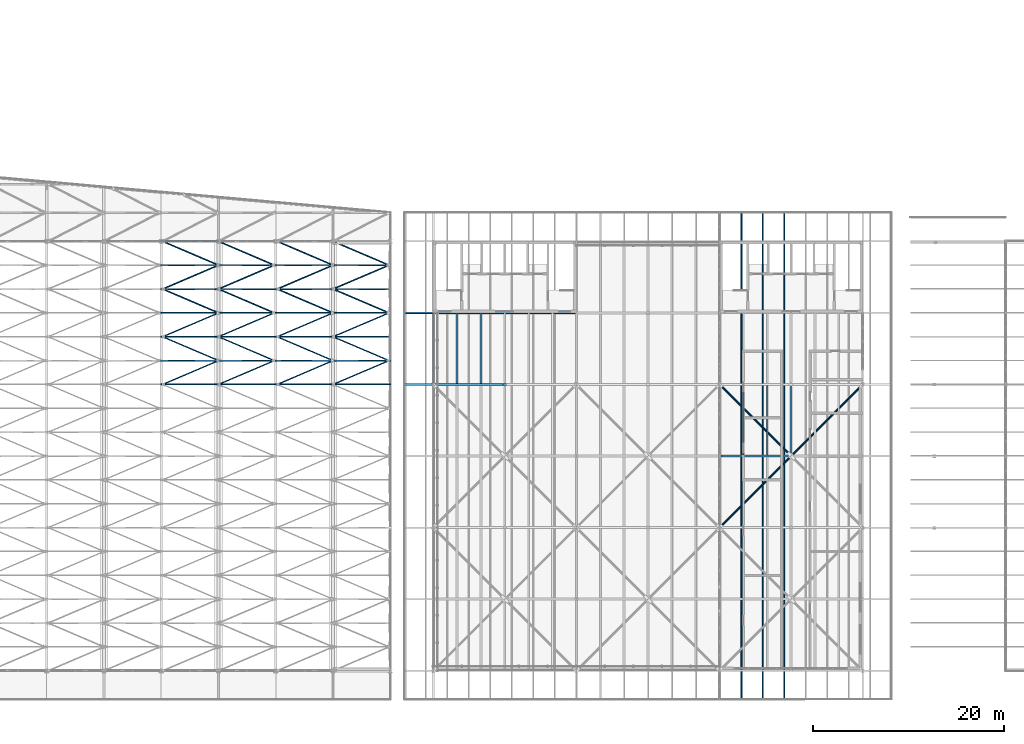
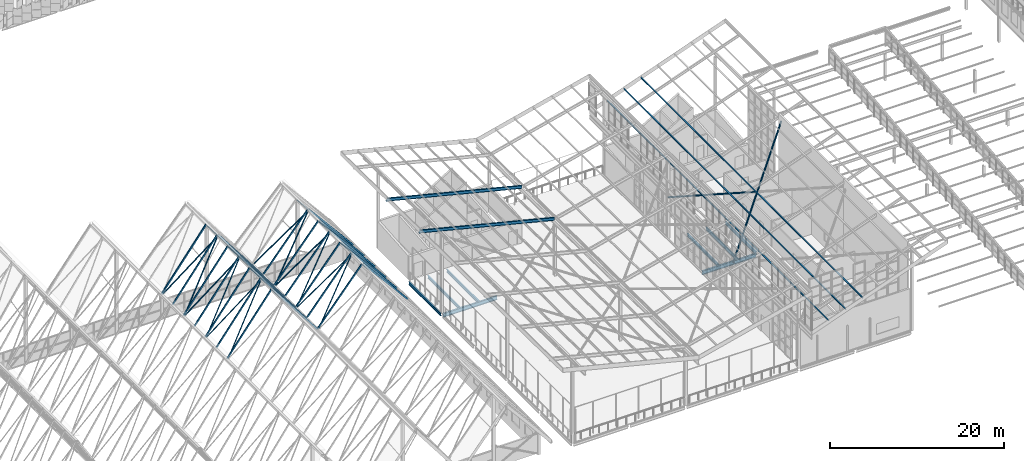
# One storey, part 36 of 483: 55 members, 9 beams.
"""IFC4 building model written with IfcOpenShell, lengths in metres."""

from ifc_helpers import new_model, si_unit, direction, frame, origin, origin_2d, place, context, subcontext, project, spatial, hollow_rectangle, hollow_circle, i_section, extrude, material, material_profile, profile_set, type_object, element, save


model = new_model("IFC4")

# Units and contexts
model_context = context("Model", 3, precision=1e-05, world=origin(), true_north=direction((0.0, 1.0)))
body_context = subcontext(model_context, "Body", "Model", "MODEL_VIEW")
ifc_project = project(units=[si_unit("LENGTHUNIT", "METRE"), si_unit("AREAUNIT", "SQUARE_METRE"), si_unit("VOLUMEUNIT", "CUBIC_METRE"), si_unit("PLANEANGLEUNIT", "RADIAN"), si_unit("MASSUNIT", "GRAM", prefix="KILO")], contexts=[model_context])

# Site, building, storey
site_placement = place(None, origin())
site = spatial("IfcSite", under=ifc_project, at=site_placement, CompositionType="ELEMENT")
building_placement = place(site_placement, origin())
building = spatial("IfcBuilding", under=site, at=building_placement, Name="Parallax Yard Mobility Hub", CompositionType="ELEMENT")
storey_placement = place(building_placement, frame((0.0, 0.0, 13.199951171875)))
storey = spatial("IfcBuildingStorey", under=building, at=storey_placement, Name="L04", CompositionType="ELEMENT", Elevation=13.199951171875)

# Members
ifc_material_1 = material(Name="Steel ASTM A500 Gr C", Category="steel")
ifc_material_profile_1 = material_profile(ifc_material_1, hollow_circle(Radius=0.06982421875, WallThickness=0.00634765625, at=origin_2d()), Name="HSS139.7x6.4")
ifc_profile_set_1 = profile_set([ifc_material_profile_1], Name="Steel ASTM A500 Gr C")
member_type_1 = type_object("IfcMemberType", Name="Plate diagonal HSS139.7x6.4", PredefinedType="BRACE", material=ifc_profile_set_1)
for number, where, z_axis, x_axis, name in (
    (1, (69.15234375, 37.5, 3.409423828125), (0.588700561603, 0.251682270826, 0.768171649647), (-0.393103707527, 0.919494140888, 0.0), "Plate diagonal plate F11-F12 bay 13"),
    (2, (75.0, 37.5, 11.039794921875), (0.588700561603, 0.251682270826, -0.768171649647), (-0.393103707527, 0.919494140888, 0.0), "Plate diagonal plate F12-F13 bay 13"),
):
    element("IfcMember", number, at=place(storey_placement, frame(where, z_axis=z_axis, x_axis=x_axis)), inside=storey, type_object=member_type_1, Name=name, PredefinedType="BRACE", context=body_context, shape_type="SweptSolid", body=[
        extrude(hollow_circle(Radius=0.06982421875, WallThickness=0.00634765625, at=origin_2d()), origin(), (0.0, 0.0, 1.0), 9.93310546875),
    ])
member_1_placement = place(storey_placement, frame((81.15234375, 37.5, 3.407470703125), z_axis=(0.619370499208, 0.264794334999, 0.739096844036), x_axis=(-0.393103707527, 0.919494140888, 0.0)))
element("IfcMember", 3, at=member_1_placement, inside=storey, type_object=member_type_1, Name="Plate diagonal plate F13-F14 bay 13", PredefinedType="BRACE", context=body_context, shape_type="SweptSolid", body=[
    extrude(hollow_circle(Radius=0.06982421875, WallThickness=0.00634765625, at=origin_2d()), origin(), (0.0, 0.0, 1.0), 9.44140625),
])
member_2_placement = place(storey_placement, frame((87.0, 37.5, 10.385498046875), z_axis=(0.619547352021, 0.263724845556, -0.739330970838), x_axis=(-0.391665406317, 0.920107716246, 0.0)))
element("IfcMember", 4, at=member_2_placement, inside=storey, type_object=member_type_1, Name="Plate diagonal plate F14-F15 bay 13", PredefinedType="BRACE", context=body_context, shape_type="SweptSolid", body=[
    extrude(hollow_circle(Radius=0.06982421875, WallThickness=0.00634765625, at=origin_2d()), origin(), (0.0, 0.0, 1.0), 9.4794921875),
])
for number, where, z_axis, x_axis, name in (
    (5, (75.0, 40.0, 11.039794921875), (-0.588700561603, 0.251682270826, -0.768171649647), (-0.393103707527, -0.919494140888, 0.0), "Plate diagonal plate F11-F12 bay 14"),
    (6, (80.84765625, 40.0, 3.409423828125), (-0.588700561603, 0.251682270826, 0.768171649647), (-0.393103707527, -0.919494140888, 0.0), "Plate diagonal plate F12-F13 bay 14"),
):
    element("IfcMember", number, at=place(storey_placement, frame(where, z_axis=z_axis, x_axis=x_axis)), inside=storey, type_object=member_type_1, Name=name, PredefinedType="BRACE", context=body_context, shape_type="SweptSolid", body=[
        extrude(hollow_circle(Radius=0.06982421875, WallThickness=0.00634765625, at=origin_2d()), origin(), (0.0, 0.0, 1.0), 9.93310546875),
    ])
member_3_placement = place(storey_placement, frame((87.0, 40.0, 10.385498046875), z_axis=(-0.619370499208, 0.264794334999, -0.739096844036), x_axis=(-0.393103707527, -0.919494140888, 0.0)))
element("IfcMember", 7, at=member_3_placement, inside=storey, type_object=member_type_1, Name="Plate diagonal plate F13-F14 bay 14", PredefinedType="BRACE", context=body_context, shape_type="SweptSolid", body=[
    extrude(hollow_circle(Radius=0.06982421875, WallThickness=0.00634765625, at=origin_2d()), origin(), (0.0, 0.0, 1.0), 9.44140625),
])
member_4_placement = place(storey_placement, frame((92.873046875, 40.0, 3.376953125), z_axis=(-0.619547352021, 0.263724845556, 0.739330970838), x_axis=(-0.391665406317, -0.920107716246, 0.0)))
element("IfcMember", 8, at=member_4_placement, inside=storey, type_object=member_type_1, Name="Plate diagonal plate F14-F15 bay 14", PredefinedType="BRACE", context=body_context, shape_type="SweptSolid", body=[
    extrude(hollow_circle(Radius=0.06982421875, WallThickness=0.00634765625, at=origin_2d()), origin(), (0.0, 0.0, 1.0), 9.4794921875),
])
for number, where, z_axis, x_axis, name in (
    (9, (69.15234375, 42.5, 3.409423828125), (0.588700561603, 0.251682270826, 0.768171649647), (-0.393103707527, 0.919494140888, 0.0), "Plate diagonal plate F11-F12 bay 15"),
    (10, (75.0, 42.5, 11.039794921875), (0.588700561603, 0.251682270826, -0.768171649647), (-0.393103707527, 0.919494140888, 0.0), "Plate diagonal plate F12-F13 bay 15"),
):
    element("IfcMember", number, at=place(storey_placement, frame(where, z_axis=z_axis, x_axis=x_axis)), inside=storey, type_object=member_type_1, Name=name, PredefinedType="BRACE", context=body_context, shape_type="SweptSolid", body=[
        extrude(hollow_circle(Radius=0.06982421875, WallThickness=0.00634765625, at=origin_2d()), origin(), (0.0, 0.0, 1.0), 9.93310546875),
    ])
member_5_placement = place(storey_placement, frame((81.15234375, 42.5, 3.407470703125), z_axis=(0.619370499208, 0.264794334999, 0.739096844036), x_axis=(-0.393103707527, 0.919494140888, 0.0)))
element("IfcMember", 11, at=member_5_placement, inside=storey, type_object=member_type_1, Name="Plate diagonal plate F13-F14 bay 15", PredefinedType="BRACE", context=body_context, shape_type="SweptSolid", body=[
    extrude(hollow_circle(Radius=0.06982421875, WallThickness=0.00634765625, at=origin_2d()), origin(), (0.0, 0.0, 1.0), 9.44140625),
])
member_6_placement = place(storey_placement, frame((87.0, 42.5, 10.385498046875), z_axis=(0.619547352021, 0.263724845556, -0.739330970838), x_axis=(-0.391665406317, 0.920107716246, 0.0)))
element("IfcMember", 12, at=member_6_placement, inside=storey, type_object=member_type_1, Name="Plate diagonal plate F14-F15 bay 15", PredefinedType="BRACE", context=body_context, shape_type="SweptSolid", body=[
    extrude(hollow_circle(Radius=0.06982421875, WallThickness=0.00634765625, at=origin_2d()), origin(), (0.0, 0.0, 1.0), 9.4794921875),
])
ifc_material_profile_2 = material_profile(ifc_material_1, hollow_circle(Radius=0.084228515625, WallThickness=0.007080078125, at=origin_2d()), Name="HSS168.3x7.1")
ifc_profile_set_2 = profile_set([ifc_material_profile_2], Name="Steel ASTM A500 Gr C")
member_type_2 = type_object("IfcMemberType", Name="Plate diagonal HSS168.3x7.1", PredefinedType="BRACE", material=ifc_profile_set_2)
for number, where, z_axis, x_axis, name in (
    (13, (75.0, 45.0, 11.039794921875), (-0.588700561603, 0.251682270826, -0.768171649647), (-0.393103707527, -0.919494140888, 0.0), "Plate diagonal plate F11-F12 bay 16"),
    (14, (80.84765625, 45.0, 3.409423828125), (-0.588700561603, 0.251682270826, 0.768171649647), (-0.393103707527, -0.919494140888, 0.0), "Plate diagonal plate F12-F13 bay 16"),
):
    element("IfcMember", number, at=place(storey_placement, frame(where, z_axis=z_axis, x_axis=x_axis)), inside=storey, type_object=member_type_2, Name=name, PredefinedType="BRACE", context=body_context, shape_type="SweptSolid", body=[
        extrude(hollow_circle(Radius=0.084228515625, WallThickness=0.007080078125, at=origin_2d()), origin(), (0.0, 0.0, 1.0), 9.93310546875),
    ])
member_7_placement = place(storey_placement, frame((87.0, 45.0, 10.385498046875), z_axis=(-0.619370499208, 0.264794334999, -0.739096844036), x_axis=(-0.393103707527, -0.919494140888, 0.0)))
element("IfcMember", 15, at=member_7_placement, inside=storey, type_object=member_type_2, Name="Plate diagonal plate F13-F14 bay 16", PredefinedType="BRACE", context=body_context, shape_type="SweptSolid", body=[
    extrude(hollow_circle(Radius=0.084228515625, WallThickness=0.007080078125, at=origin_2d()), origin(), (0.0, 0.0, 1.0), 9.44140625),
])
member_8_placement = place(storey_placement, frame((92.873046875, 45.0, 3.376953125), z_axis=(-0.619547352021, 0.263724845556, 0.739330970838), x_axis=(-0.391665406317, -0.920107716246, 0.0)))
element("IfcMember", 16, at=member_8_placement, inside=storey, type_object=member_type_2, Name="Plate diagonal plate F14-F15 bay 16", PredefinedType="BRACE", context=body_context, shape_type="SweptSolid", body=[
    extrude(hollow_circle(Radius=0.084228515625, WallThickness=0.007080078125, at=origin_2d()), origin(), (0.0, 0.0, 1.0), 9.4794921875),
])
for number, where, z_axis, x_axis, name in (
    (17, (69.15234375, 47.5, 3.409423828125), (0.588700561603, 0.251682270826, 0.768171649647), (-0.393103707527, 0.919494140888, 0.0), "Plate diagonal plate F11-F12 bay 17"),
    (18, (75.0, 47.5, 11.039794921875), (0.588700561603, 0.251682270826, -0.768171649647), (-0.393103707527, 0.919494140888, 0.0), "Plate diagonal plate F12-F13 bay 17"),
):
    element("IfcMember", number, at=place(storey_placement, frame(where, z_axis=z_axis, x_axis=x_axis)), inside=storey, type_object=member_type_2, Name=name, PredefinedType="BRACE", context=body_context, shape_type="SweptSolid", body=[
        extrude(hollow_circle(Radius=0.084228515625, WallThickness=0.007080078125, at=origin_2d()), origin(), (0.0, 0.0, 1.0), 9.93310546875),
    ])
member_9_placement = place(storey_placement, frame((81.15234375, 47.5, 3.407470703125), z_axis=(0.619370499208, 0.264794334999, 0.739096844036), x_axis=(-0.393103707527, 0.919494140888, 0.0)))
element("IfcMember", 19, at=member_9_placement, inside=storey, type_object=member_type_2, Name="Plate diagonal plate F13-F14 bay 17", PredefinedType="BRACE", context=body_context, shape_type="SweptSolid", body=[
    extrude(hollow_circle(Radius=0.084228515625, WallThickness=0.007080078125, at=origin_2d()), origin(), (0.0, 0.0, 1.0), 9.44140625),
])
member_10_placement = place(storey_placement, frame((87.0, 47.5, 10.385498046875), z_axis=(0.619547352021, 0.263724845556, -0.739330970838), x_axis=(-0.391665406317, 0.920107716246, 0.0)))
element("IfcMember", 20, at=member_10_placement, inside=storey, type_object=member_type_2, Name="Plate diagonal plate F14-F15 bay 17", PredefinedType="BRACE", context=body_context, shape_type="SweptSolid", body=[
    extrude(hollow_circle(Radius=0.084228515625, WallThickness=0.007080078125, at=origin_2d()), origin(), (0.0, 0.0, 1.0), 9.4794921875),
])
for number, where, z_axis, x_axis, name in (
    (21, (75.0, 50.0, 11.039794921875), (-0.588700561603, 0.251682270826, -0.768171649647), (-0.393103707527, -0.919494140888, 0.0), "Plate diagonal plate F11-F12 bay 18"),
    (22, (80.84765625, 50.0, 3.409423828125), (-0.588700561603, 0.251682270826, 0.768171649647), (-0.393103707527, -0.919494140888, 0.0), "Plate diagonal plate F12-F13 bay 18"),
):
    element("IfcMember", number, at=place(storey_placement, frame(where, z_axis=z_axis, x_axis=x_axis)), inside=storey, type_object=member_type_2, Name=name, PredefinedType="BRACE", context=body_context, shape_type="SweptSolid", body=[
        extrude(hollow_circle(Radius=0.084228515625, WallThickness=0.007080078125, at=origin_2d()), origin(), (0.0, 0.0, 1.0), 9.93310546875),
    ])
member_11_placement = place(storey_placement, frame((87.0, 50.0, 10.385498046875), z_axis=(-0.619370499208, 0.264794334999, -0.739096844036), x_axis=(-0.393103707527, -0.919494140888, 0.0)))
element("IfcMember", 23, at=member_11_placement, inside=storey, type_object=member_type_2, Name="Plate diagonal plate F13-F14 bay 18", PredefinedType="BRACE", context=body_context, shape_type="SweptSolid", body=[
    extrude(hollow_circle(Radius=0.084228515625, WallThickness=0.007080078125, at=origin_2d()), origin(), (0.0, 0.0, 1.0), 9.44140625),
])
member_12_placement = place(storey_placement, frame((92.873046875, 50.0, 3.376953125), z_axis=(-0.619547352021, 0.263724845556, 0.739330970838), x_axis=(-0.391665406317, -0.920107716246, 0.0)))
element("IfcMember", 24, at=member_12_placement, inside=storey, type_object=member_type_2, Name="Plate diagonal plate F14-F15 bay 18", PredefinedType="BRACE", context=body_context, shape_type="SweptSolid", body=[
    extrude(hollow_circle(Radius=0.084228515625, WallThickness=0.007080078125, at=origin_2d()), origin(), (0.0, 0.0, 1.0), 9.4794921875),
])
ifc_material_profile_3 = material_profile(ifc_material_1, hollow_circle(Radius=0.109619140625, WallThickness=0.008056640625, at=origin_2d()), Name="HSS219.1x8.0")
ifc_profile_set_3 = profile_set([ifc_material_profile_3], Name="Steel ASTM A500 Gr C")
member_type_3 = type_object("IfcMemberType", Name="Roof brace HSS219.1x8.0", PredefinedType="BRACE", material=ifc_profile_set_3)
member_13_placement = place(storey_placement, frame((127.5, 22.5, 5.6904296875), z_axis=(0.685253810014, 0.685253810014, 0.246686910317), x_axis=(-0.707106781187, 0.707106781187, 0.0)))
element("IfcMember", 25, at=member_13_placement, inside=storey, type_object=member_type_3, Name="Roof X brace pavilion bay 2 1", PredefinedType="BRACE", context=body_context, shape_type="SweptSolid", body=[
    extrude(hollow_circle(Radius=0.109619140625, WallThickness=0.008056640625, at=origin_2d()), origin(), (0.0, 0.0, 1.0), 21.8896484375),
])
member_14_placement = place(storey_placement, frame((127.5, 37.5, 5.6904296875), z_axis=(0.685250772512, -0.685250772512, 0.246703785018), x_axis=(0.707106781187, 0.707106781187, 0.0)))
element("IfcMember", 26, at=member_14_placement, inside=storey, type_object=member_type_3, Name="Roof X brace pavilion bay 2 2 (half 1)", PredefinedType="BRACE", context=body_context, shape_type="SweptSolid", body=[
    extrude(hollow_circle(Radius=0.109619140625, WallThickness=0.008056640625, at=origin_2d()), origin(), (0.0, 0.0, 1.0), 10.84521484375),
])

# Beam
ifc_material_profile_4 = material_profile(ifc_material_1, hollow_rectangle(XDim=0.15234375, YDim=0.203125, WallThickness=0.009521484375, at=origin_2d()), Name="HSS203x152x9.5")
ifc_profile_set_4 = profile_set([ifc_material_profile_4], Name="Steel ASTM A500 Gr C")
beam_type_1 = type_object("IfcBeamType", Name="Roof edge beam HSS203x152x9.5", PredefinedType="SPANDREL", material=ifc_profile_set_4)
beam_1_placement = place(storey_placement, frame((69.010498046875, 52.5, 3.50634765625), z_axis=(0.608287178019, 0.0, 0.793717020768), x_axis=(0.0, 1.0, 0.0)))
element("IfcBeam", 27, at=beam_1_placement, inside=storey, type_object=beam_type_1, Name="Edge beam plate F11-F12 north gable", PredefinedType="SPANDREL", context=body_context, shape_type="SweptSolid", body=[
    extrude(hollow_rectangle(XDim=0.15234375, YDim=0.203125, WallThickness=0.009521484375, at=origin_2d()), origin(), (0.0, 0.0, 1.0), 9.728515625),
])

# Members
ifc_material_2 = material(Name="Steel ASTM A992", Category="steel")
ifc_material_profile_5 = material_profile(ifc_material_2, i_section(OverallWidth=0.133056640625, OverallDepth=0.20703125, WebThickness=0.005859375, FlangeThickness=0.00830078125, at=origin_2d()), Name="W200x27")
ifc_profile_set_5 = profile_set([ifc_material_profile_5], Name="Steel ASTM A992")
member_type_4 = type_object("IfcMemberType", Name="Roof purlin W200x27", PredefinedType="PURLIN", material=ifc_profile_set_5)
for number, where, z_axis, x_axis, name in (
    (28, (129.78515625, 4.56005859375, 7.598876953125), (0.0, 1.0, 0.0), (-0.940887272082, 0.0, -0.338719856569), "Roof purlin pavilion line 2"),
    (29, (132.03515625, 4.56005859375, 8.408935546875), (0.0, 1.0, 0.0), (-0.940887272082, 0.0, -0.338719856569), "Roof purlin pavilion line 3"),
    (30, (134.28515625, 4.56005859375, 9.218994140625), (0.0, 1.0, 0.0), (-0.940887272082, 0.0, -0.338719856569), "Roof purlin pavilion line 4"),
):
    element("IfcMember", number, at=place(storey_placement, frame(where, z_axis=z_axis, x_axis=x_axis)), inside=storey, type_object=member_type_4, Name=name, PredefinedType="PURLIN", context=body_context, shape_type="SweptSolid", body=[
        extrude(i_section(OverallWidth=0.133056640625, OverallDepth=0.20703125, WebThickness=0.005859375, FlangeThickness=0.00830078125, at=origin_2d()), origin(), (0.0, 0.0, 1.0), 50.8798828125),
    ])
ifc_material_profile_6 = material_profile(ifc_material_1, hollow_rectangle(XDim=0.1015625, YDim=0.203125, WallThickness=0.00634765625, at=origin_2d()), Name="HSS203x102x6.4")
ifc_profile_set_6 = profile_set([ifc_material_profile_6], Name="Steel ASTM A500 Gr C")
member_type_5 = type_object("IfcMemberType", Name="Roof rafter HSS203x102x6.4", PredefinedType="RAFTER", material=ifc_profile_set_6)
for number, where, z_axis, x_axis, name in (
    (31, (69.010498046875, 37.5, 3.50634765625), (0.608287178019, 0.0, 0.793717020768), (0.0, 1.0, 0.0), "Roof rafter plate F11-F12 at y 37.5"),
    (32, (75.07177734375, 37.5, 11.22802734375), (0.608287178019, 0.0, -0.793717020768), (0.0, 1.0, 0.0), "Roof rafter plate F12-F13 at y 37.5"),
):
    element("IfcMember", number, at=place(storey_placement, frame(where, z_axis=z_axis, x_axis=x_axis)), inside=storey, type_object=member_type_5, Name=name, PredefinedType="RAFTER", context=body_context, shape_type="SweptSolid", body=[
        extrude(hollow_rectangle(XDim=0.1015625, YDim=0.203125, WallThickness=0.00634765625, at=origin_2d()), origin(), (0.0, 0.0, 1.0), 9.728515625),
    ])
for number, where, z_axis, x_axis, name in (
    (33, (81.0078125, 37.5, 3.501953125), (0.642303597154, 0.0, 0.766450317426), (0.0, 1.0, 0.0), "Roof rafter plate F13-F14 at y 37.5"),
    (34, (87.074462890625, 37.5, 10.5634765625), (0.642303597154, 0.0, -0.766450317426), (0.0, 1.0, 0.0), "Roof rafter plate F14-F15 at y 37.5"),
):
    element("IfcMember", number, at=place(storey_placement, frame(where, z_axis=z_axis, x_axis=x_axis)), inside=storey, type_object=member_type_5, Name=name, PredefinedType="RAFTER", context=body_context, shape_type="SweptSolid", body=[
        extrude(hollow_rectangle(XDim=0.1015625, YDim=0.203125, WallThickness=0.00634765625, at=origin_2d()), origin(), (0.0, 0.0, 1.0), 9.21337890625),
    ])
for number, where, z_axis, x_axis, name in (
    (35, (69.010498046875, 40.0, 3.50634765625), (0.608287178019, 0.0, 0.793717020768), (0.0, 1.0, 0.0), "Roof rafter plate F11-F12 at y 40"),
    (36, (75.07177734375, 40.0, 11.22802734375), (0.608287178019, 0.0, -0.793717020768), (0.0, 1.0, 0.0), "Roof rafter plate F12-F13 at y 40"),
):
    element("IfcMember", number, at=place(storey_placement, frame(where, z_axis=z_axis, x_axis=x_axis)), inside=storey, type_object=member_type_5, Name=name, PredefinedType="RAFTER", context=body_context, shape_type="SweptSolid", body=[
        extrude(hollow_rectangle(XDim=0.1015625, YDim=0.203125, WallThickness=0.00634765625, at=origin_2d()), origin(), (0.0, 0.0, 1.0), 9.728515625),
    ])
for number, where, z_axis, x_axis, name in (
    (37, (81.0078125, 40.0, 3.501953125), (0.642303597154, 0.0, 0.766450317426), (0.0, 1.0, 0.0), "Roof rafter plate F13-F14 at y 40"),
    (38, (87.074462890625, 40.0, 10.5634765625), (0.642303597154, 0.0, -0.766450317426), (0.0, 1.0, 0.0), "Roof rafter plate F14-F15 at y 40"),
):
    element("IfcMember", number, at=place(storey_placement, frame(where, z_axis=z_axis, x_axis=x_axis)), inside=storey, type_object=member_type_5, Name=name, PredefinedType="RAFTER", context=body_context, shape_type="SweptSolid", body=[
        extrude(hollow_rectangle(XDim=0.1015625, YDim=0.203125, WallThickness=0.00634765625, at=origin_2d()), origin(), (0.0, 0.0, 1.0), 9.21337890625),
    ])
for number, where, z_axis, x_axis, name in (
    (39, (69.010498046875, 42.5, 3.50634765625), (0.608287178019, 0.0, 0.793717020768), (0.0, 1.0, 0.0), "Roof rafter plate F11-F12 at y 42.5"),
    (40, (75.07177734375, 42.5, 11.22802734375), (0.608287178019, 0.0, -0.793717020768), (0.0, 1.0, 0.0), "Roof rafter plate F12-F13 at y 42.5"),
):
    element("IfcMember", number, at=place(storey_placement, frame(where, z_axis=z_axis, x_axis=x_axis)), inside=storey, type_object=member_type_5, Name=name, PredefinedType="RAFTER", context=body_context, shape_type="SweptSolid", body=[
        extrude(hollow_rectangle(XDim=0.1015625, YDim=0.203125, WallThickness=0.00634765625, at=origin_2d()), origin(), (0.0, 0.0, 1.0), 9.728515625),
    ])
for number, where, z_axis, x_axis, name in (
    (41, (81.0078125, 42.5, 3.501953125), (0.642303597154, 0.0, 0.766450317426), (0.0, 1.0, 0.0), "Roof rafter plate F13-F14 at y 42.5"),
    (42, (87.074462890625, 42.5, 10.5634765625), (0.642303597154, 0.0, -0.766450317426), (0.0, 1.0, 0.0), "Roof rafter plate F14-F15 at y 42.5"),
):
    element("IfcMember", number, at=place(storey_placement, frame(where, z_axis=z_axis, x_axis=x_axis)), inside=storey, type_object=member_type_5, Name=name, PredefinedType="RAFTER", context=body_context, shape_type="SweptSolid", body=[
        extrude(hollow_rectangle(XDim=0.1015625, YDim=0.203125, WallThickness=0.00634765625, at=origin_2d()), origin(), (0.0, 0.0, 1.0), 9.21337890625),
    ])
for number, where, z_axis, x_axis, name in (
    (43, (69.010498046875, 45.0, 3.50634765625), (0.608287178019, 0.0, 0.793717020768), (0.0, 1.0, 0.0), "Roof rafter plate F11-F12 at y 45"),
    (44, (75.07177734375, 45.0, 11.22802734375), (0.608287178019, 0.0, -0.793717020768), (0.0, 1.0, 0.0), "Roof rafter plate F12-F13 at y 45"),
):
    element("IfcMember", number, at=place(storey_placement, frame(where, z_axis=z_axis, x_axis=x_axis)), inside=storey, type_object=member_type_5, Name=name, PredefinedType="RAFTER", context=body_context, shape_type="SweptSolid", body=[
        extrude(hollow_rectangle(XDim=0.1015625, YDim=0.203125, WallThickness=0.00634765625, at=origin_2d()), origin(), (0.0, 0.0, 1.0), 9.728515625),
    ])
for number, where, z_axis, x_axis, name in (
    (45, (81.0078125, 45.0, 3.501953125), (0.642303597154, 0.0, 0.766450317426), (0.0, 1.0, 0.0), "Roof rafter plate F13-F14 at y 45"),
    (46, (87.074462890625, 45.0, 10.5634765625), (0.642303597154, 0.0, -0.766450317426), (0.0, 1.0, 0.0), "Roof rafter plate F14-F15 at y 45"),
):
    element("IfcMember", number, at=place(storey_placement, frame(where, z_axis=z_axis, x_axis=x_axis)), inside=storey, type_object=member_type_5, Name=name, PredefinedType="RAFTER", context=body_context, shape_type="SweptSolid", body=[
        extrude(hollow_rectangle(XDim=0.1015625, YDim=0.203125, WallThickness=0.00634765625, at=origin_2d()), origin(), (0.0, 0.0, 1.0), 9.21337890625),
    ])
for number, where, z_axis, x_axis, name in (
    (47, (69.010498046875, 47.5, 3.50634765625), (0.608287178019, 0.0, 0.793717020768), (0.0, 1.0, 0.0), "Roof rafter plate F11-F12 at y 47.5"),
    (48, (75.07177734375, 47.5, 11.22802734375), (0.608287178019, 0.0, -0.793717020768), (0.0, 1.0, 0.0), "Roof rafter plate F12-F13 at y 47.5"),
):
    element("IfcMember", number, at=place(storey_placement, frame(where, z_axis=z_axis, x_axis=x_axis)), inside=storey, type_object=member_type_5, Name=name, PredefinedType="RAFTER", context=body_context, shape_type="SweptSolid", body=[
        extrude(hollow_rectangle(XDim=0.1015625, YDim=0.203125, WallThickness=0.00634765625, at=origin_2d()), origin(), (0.0, 0.0, 1.0), 9.728515625),
    ])
for number, where, z_axis, x_axis, name in (
    (49, (81.0078125, 47.5, 3.501953125), (0.642303597154, 0.0, 0.766450317426), (0.0, 1.0, 0.0), "Roof rafter plate F13-F14 at y 47.5"),
    (50, (87.074462890625, 47.5, 10.5634765625), (0.642303597154, 0.0, -0.766450317426), (0.0, 1.0, 0.0), "Roof rafter plate F14-F15 at y 47.5"),
):
    element("IfcMember", number, at=place(storey_placement, frame(where, z_axis=z_axis, x_axis=x_axis)), inside=storey, type_object=member_type_5, Name=name, PredefinedType="RAFTER", context=body_context, shape_type="SweptSolid", body=[
        extrude(hollow_rectangle(XDim=0.1015625, YDim=0.203125, WallThickness=0.00634765625, at=origin_2d()), origin(), (0.0, 0.0, 1.0), 9.21337890625),
    ])
for number, where, z_axis, x_axis, name in (
    (51, (69.010498046875, 50.0, 3.50634765625), (0.608287178019, 0.0, 0.793717020768), (0.0, 1.0, 0.0), "Roof rafter plate F11-F12 at y 50"),
    (52, (75.07177734375, 50.0, 11.22802734375), (0.608287178019, 0.0, -0.793717020768), (0.0, 1.0, 0.0), "Roof rafter plate F12-F13 at y 50"),
):
    element("IfcMember", number, at=place(storey_placement, frame(where, z_axis=z_axis, x_axis=x_axis)), inside=storey, type_object=member_type_5, Name=name, PredefinedType="RAFTER", context=body_context, shape_type="SweptSolid", body=[
        extrude(hollow_rectangle(XDim=0.1015625, YDim=0.203125, WallThickness=0.00634765625, at=origin_2d()), origin(), (0.0, 0.0, 1.0), 9.728515625),
    ])
for number, where, z_axis, x_axis, name in (
    (53, (81.0078125, 50.0, 3.501953125), (0.642303597154, 0.0, 0.766450317426), (0.0, 1.0, 0.0), "Roof rafter plate F13-F14 at y 50"),
    (54, (87.074462890625, 50.0, 10.5634765625), (0.642303597154, 0.0, -0.766450317426), (0.0, 1.0, 0.0), "Roof rafter plate F14-F15 at y 50"),
):
    element("IfcMember", number, at=place(storey_placement, frame(where, z_axis=z_axis, x_axis=x_axis)), inside=storey, type_object=member_type_5, Name=name, PredefinedType="RAFTER", context=body_context, shape_type="SweptSolid", body=[
        extrude(hollow_rectangle(XDim=0.1015625, YDim=0.203125, WallThickness=0.00634765625, at=origin_2d()), origin(), (0.0, 0.0, 1.0), 9.21337890625),
    ])
ifc_material_profile_7 = material_profile(ifc_material_2, i_section(OverallWidth=0.177978515625, OverallDepth=0.406982421875, WebThickness=0.0078125, FlangeThickness=0.0126953125, at=origin_2d()), Name="W410x60")
ifc_profile_set_7 = profile_set([ifc_material_profile_7], Name="Steel ASTM A992")
member_type_6 = type_object("IfcMemberType", Name="Roof rafter W410x60", PredefinedType="RAFTER", material=ifc_profile_set_7)
for number, where, z_axis, x_axis, name in (
    (55, (94.50048828125, 37.498046875, 12.442626953125), (0.970142500145, 0.0, -0.242535625036), (-0.002352689629, 0.999952950131, -0.009410758517), "Roof rafter court west wing at y 37.5"),
    (56, (94.50048828125, 44.998046875, 12.36767578125), (0.970142500145, 0.0, -0.242535625036), (-0.002352689629, 0.999952950131, -0.009410758517), "Roof rafter court west wing at y 45"),
):
    element("IfcMember", number, at=place(storey_placement, frame(where, z_axis=z_axis, x_axis=x_axis)), inside=storey, type_object=member_type_6, Name=name, PredefinedType="RAFTER", context=body_context, shape_type="SweptSolid", body=[
        extrude(i_section(OverallWidth=0.177978515625, OverallDepth=0.406982421875, WebThickness=0.0078125, FlangeThickness=0.0126953125, at=origin_2d()), origin(), (0.0, 0.0, 1.0), 18.502685546875),
    ])

# Beams
ifc_material_profile_8 = material_profile(ifc_material_2, i_section(OverallWidth=0.177978515625, OverallDepth=0.406005859375, WebThickness=0.0078125, FlangeThickness=0.0126953125, FilletRadius=0.01025390625, at=origin_2d()), Name="W410x60")
ifc_profile_set_8 = profile_set([ifc_material_profile_8], Name="Steel ASTM A992")
beam_type_2 = type_object("IfcBeamType", Name="W410x60 secondary beam", PredefinedType="JOIST", material=ifc_profile_set_8)
beam_2_placement = place(storey_placement, frame((100.0, 37.6044921875, -0.343017578125), z_axis=(0.0, 1.0, 0.0), x_axis=(-1.0, 0.0, 0.0)))
element("IfcBeam", 57, at=beam_2_placement, inside=storey, type_object=beam_type_2, Name="Secondary beam B1 level L04, 2.5 m east of line 14 of mobility service centre and workshops, span 5", PredefinedType="JOIST", context=body_context, shape_type="SweptSolid", body=[
    extrude(i_section(OverallWidth=0.177978515625, OverallDepth=0.406005859375, WebThickness=0.0078125, FlangeThickness=0.0126953125, FilletRadius=0.01025390625, at=origin_2d()), origin(), (0.0, 0.0, 1.0), 7.3955078125),
])
beam_3_placement = place(storey_placement, frame((130.0, 30.1044921875, -0.343017578125), z_axis=(0.0, 1.0, 0.0), x_axis=(-1.0, 0.0, 0.0)))
element("IfcBeam", 58, at=beam_3_placement, inside=storey, type_object=beam_type_2, Name="Secondary beam B1 level L04, 2.5 m east of line 18 of mobility service centre and workshops, span 4", PredefinedType="JOIST", context=body_context, shape_type="SweptSolid", body=[
    extrude(i_section(OverallWidth=0.177978515625, OverallDepth=0.406005859375, WebThickness=0.0078125, FlangeThickness=0.0126953125, FilletRadius=0.01025390625, at=origin_2d()), origin(), (0.0, 0.0, 1.0), 7.291015625),
])
beam_4_placement = place(storey_placement, frame((102.5, 37.6044921875, -0.343017578125), z_axis=(0.0, 1.0, 0.0), x_axis=(-1.0, 0.0, 0.0)))
element("IfcBeam", 59, at=beam_4_placement, inside=storey, type_object=beam_type_2, Name="Secondary beam B1 level L04, 5 m east of line 14 of mobility service centre and workshops, span 5", PredefinedType="JOIST", context=body_context, shape_type="SweptSolid", body=[
    extrude(i_section(OverallWidth=0.177978515625, OverallDepth=0.406005859375, WebThickness=0.0078125, FlangeThickness=0.0126953125, FilletRadius=0.01025390625, at=origin_2d()), origin(), (0.0, 0.0, 1.0), 7.3955078125),
])
beam_5_placement = place(storey_placement, frame((132.5, 30.1044921875, -0.343017578125), z_axis=(0.0, 1.0, 0.0), x_axis=(-1.0, 0.0, 0.0)))
element("IfcBeam", 60, at=beam_5_placement, inside=storey, type_object=beam_type_2, Name="Secondary beam B1 level L04, 5 m east of line 18 of mobility service centre and workshops, span 4", PredefinedType="JOIST", context=body_context, shape_type="SweptSolid", body=[
    extrude(i_section(OverallWidth=0.177978515625, OverallDepth=0.406005859375, WebThickness=0.0078125, FlangeThickness=0.0126953125, FilletRadius=0.01025390625, at=origin_2d()), origin(), (0.0, 0.0, 1.0), 7.291015625),
])
ifc_material_profile_9 = material_profile(ifc_material_2, i_section(OverallWidth=0.178955078125, OverallDepth=0.408935546875, WebThickness=0.0087890625, FlangeThickness=0.014404296875, FilletRadius=0.01025390625, at=origin_2d()), Name="W410x67")
ifc_profile_set_9 = profile_set([ifc_material_profile_9], Name="Steel ASTM A992")
beam_type_3 = type_object("IfcBeamType", Name="W410x67 edge beam", PredefinedType="SPANDREL", material=ifc_profile_set_9)
beam_6_placement = place(storey_placement, frame((97.5, 37.658935546875, -0.344482421875), z_axis=(0.0, 1.0, 0.0), x_axis=(-1.0, 0.0, 0.0)))
element("IfcBeam", 61, at=beam_6_placement, inside=storey, type_object=beam_type_3, Name="Edge beam SB3 level L04, line 14 of mobility service centre and workshops, span 5", PredefinedType="SPANDREL", context=body_context, shape_type="SweptSolid", body=[
    extrude(i_section(OverallWidth=0.178955078125, OverallDepth=0.408935546875, WebThickness=0.0087890625, FlangeThickness=0.014404296875, FilletRadius=0.01025390625, at=origin_2d()), origin(), (0.0, 0.0, 1.0), 7.341064453125),
])
ifc_material_profile_10 = material_profile(ifc_material_2, i_section(OverallWidth=0.178955078125, OverallDepth=0.408935546875, WebThickness=0.0087890625, FlangeThickness=0.014404296875, FilletRadius=0.01025390625, at=origin_2d()), Name="W410x67")
ifc_profile_set_10 = profile_set([ifc_material_profile_10], Name="Steel ASTM A992")
beam_type_4 = type_object("IfcBeamType", Name="W410x67 girder", PredefinedType="BEAM", material=ifc_profile_set_10)
beam_7_placement = place(storey_placement, frame((135.0, 30.153564453125, -0.344482421875), z_axis=(0.0, 1.0, 0.0), x_axis=(-1.0, 0.0, 0.0)))
element("IfcBeam", 62, at=beam_7_placement, inside=storey, type_object=beam_type_4, Name="Girder G1 level L04, line 19 of mobility service centre and workshops, span 4", PredefinedType="BEAM", context=body_context, shape_type="SweptSolid", body=[
    extrude(i_section(OverallWidth=0.178955078125, OverallDepth=0.408935546875, WebThickness=0.0087890625, FlangeThickness=0.014404296875, FilletRadius=0.01025390625, at=origin_2d()), origin(), (0.0, 0.0, 1.0), 7.158447265625),
])
ifc_material_profile_11 = material_profile(ifc_material_2, i_section(OverallWidth=0.208984375, OverallDepth=0.532958984375, WebThickness=0.01025390625, FlangeThickness=0.015625, FilletRadius=0.0126953125, at=origin_2d()), Name="W530x92")
ifc_profile_set_11 = profile_set([ifc_material_profile_11], Name="Steel ASTM A992")
beam_type_5 = type_object("IfcBeamType", Name="W530x92 longitudinal beam", PredefinedType="BEAM", material=ifc_profile_set_11)
beam_8_placement = place(storey_placement, frame((127.652587890625, 30.0, -0.406494140625), z_axis=(1.0, 0.0, 0.0), x_axis=(0.0, 1.0, 0.0)))
element("IfcBeam", 63, at=beam_8_placement, inside=storey, type_object=beam_type_5, Name="Longitudinal beam SB6 level L04, line E of mobility service centre and workshops, span 5", PredefinedType="BEAM", context=body_context, shape_type="SweptSolid", body=[
    extrude(i_section(OverallWidth=0.208984375, OverallDepth=0.532958984375, WebThickness=0.01025390625, FlangeThickness=0.015625, FilletRadius=0.0126953125, at=origin_2d()), origin(), (0.0, 0.0, 1.0), 7.19482421875),
])
beam_9_placement = place(storey_placement, frame((97.653564453125, 37.5, -0.406494140625), z_axis=(1.0, 0.0, 0.0), x_axis=(0.0, 1.0, 0.0)))
element("IfcBeam", 64, at=beam_9_placement, inside=storey, type_object=beam_type_5, Name="Longitudinal beam SB6 level L04, line F of mobility service centre and workshops, span 1", PredefinedType="BEAM", context=body_context, shape_type="SweptSolid", body=[
    extrude(i_section(OverallWidth=0.208984375, OverallDepth=0.532958984375, WebThickness=0.01025390625, FlangeThickness=0.015625, FilletRadius=0.0126953125, at=origin_2d()), origin(), (0.0, 0.0, 1.0), 7.1494140625),
])

save(model, "model.ifc")
